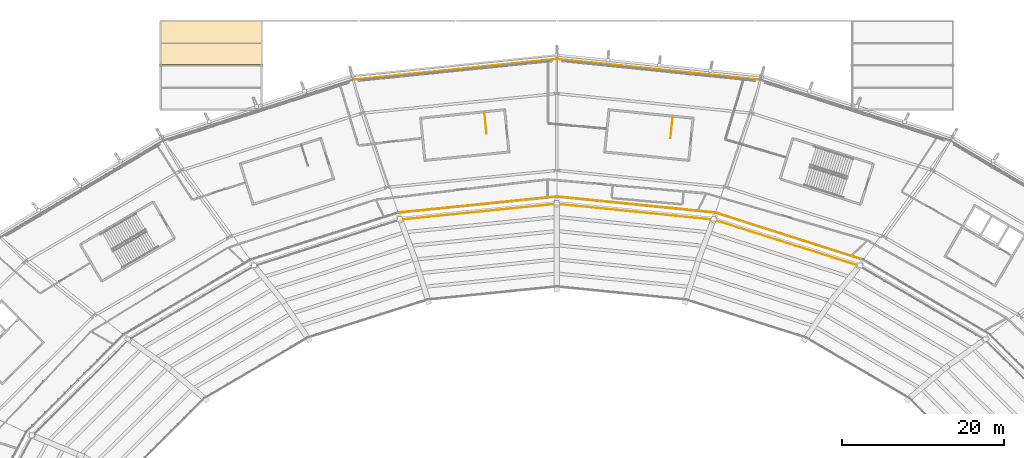
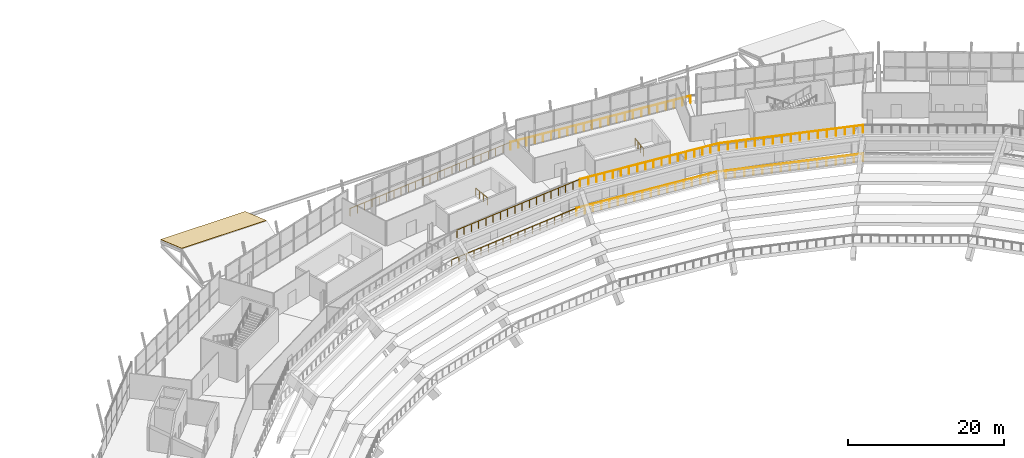
# One storey, part 124 of 126: 10 railings, 1 covering, 1 element without a shape of its own.
"""IFC4 building model written with IfcOpenShell, lengths in metres."""

from ifc_helpers import new_model, si_unit, direction, frame, origin, origin_2d, place, context, subcontext, project, spatial, polyline, rectangle, outline, extrude, material, layer, layer_set, type_object, element, aggregate, save


model = new_model("IFC4")

# Units and contexts
model_context = context("Model", 3, precision=1e-05, world=origin(), true_north=direction((0.0, 1.0)))
body_context = subcontext(model_context, "Body", "Model", "MODEL_VIEW")
ifc_project = project(units=[si_unit("LENGTHUNIT", "METRE"), si_unit("AREAUNIT", "SQUARE_METRE"), si_unit("VOLUMEUNIT", "CUBIC_METRE"), si_unit("PLANEANGLEUNIT", "RADIAN"), si_unit("MASSUNIT", "GRAM", prefix="KILO")], contexts=[model_context])

# Site, building, storey
site_placement = place(None, origin())
site = spatial("IfcSite", under=ifc_project, at=site_placement, CompositionType="ELEMENT")
building_placement = place(site_placement, origin())
building = spatial("IfcBuilding", under=site, at=building_placement, Name="Zlatoyarsky Gate Stadium", CompositionType="ELEMENT")
storey_placement = place(building_placement, frame((0.0, 0.0, 20.800048828125)))
storey = spatial("IfcBuildingStorey", under=building, at=storey_placement, Name="L04", CompositionType="ELEMENT", Elevation=20.800048828125)

# Railings
ifc_material_1 = material(Name="Powder-coated steel tubular guardrail", Category="steel")
railing_type_1 = type_object("IfcRailingType", Name="CONCOURSE SLAB EDGE GUARDRAIL 1200", PredefinedType="GUARDRAIL", material=ifc_material_1)
railing_1_placement = place(storey_placement, frame((148.425048828125, 129.66650390625, 5.099853515625)))
element("IfcRailing", 1, at=railing_1_placement, inside=storey, type_object=railing_type_1, Name="Upper bowl back guardrail 04", PredefinedType="GUARDRAIL", context=body_context, shape_type="SweptSolid", body=[
    extrude(rectangle(XDim=0.048095703125, YDim=0.048095703125, at=origin_2d()), frame((0.0, 0.0, 1.17578125), z_axis=(-0.953150168242, 0.302497531858, 0.0), x_axis=(-0.302497531858, -0.953150168242, 0.0)), (0.0, 0.0, 1.0), 18.939697265625),
    extrude(rectangle(XDim=0.0419921875, YDim=0.0419921875, at=origin_2d()), origin(), (0.0, 0.0, 1.0), 1.15185546875),
    extrude(rectangle(XDim=0.0419921875, YDim=0.0419921875, at=origin_2d()), frame((-1.128173828125, 0.358154296875, 0.0)), (0.0, 0.0, 1.0), 1.15185546875),
    extrude(rectangle(XDim=0.0419921875, YDim=0.0419921875, at=origin_2d()), frame((-2.256591796875, 0.716064453125, 0.0)), (0.0, 0.0, 1.0), 1.15185546875),
    extrude(rectangle(XDim=0.0419921875, YDim=0.0419921875, at=origin_2d()), frame((-3.384765625, 1.07421875, 0.0)), (0.0, 0.0, 1.0), 1.15185546875),
    extrude(rectangle(XDim=0.0419921875, YDim=0.0419921875, at=origin_2d()), frame((-4.51318359375, 1.432373046875, 0.0)), (0.0, 0.0, 1.0), 1.15185546875),
    extrude(rectangle(XDim=0.0419921875, YDim=0.0419921875, at=origin_2d()), frame((-5.641357421875, 1.790283203125, 0.0)), (0.0, 0.0, 1.0), 1.15185546875),
    extrude(rectangle(XDim=0.0419921875, YDim=0.0419921875, at=origin_2d()), frame((-6.769775390625, 2.1484375, 0.0)), (0.0, 0.0, 1.0), 1.15185546875),
    extrude(rectangle(XDim=0.0419921875, YDim=0.0419921875, at=origin_2d()), frame((-7.89794921875, 2.506591796875, 0.0)), (0.0, 0.0, 1.0), 1.15185546875),
    extrude(rectangle(XDim=0.0419921875, YDim=0.0419921875, at=origin_2d()), frame((-9.0263671875, 2.86474609375, 0.0)), (0.0, 0.0, 1.0), 1.15185546875),
    extrude(rectangle(XDim=0.0419921875, YDim=0.0419921875, at=origin_2d()), frame((-10.154541015625, 3.22265625, 0.0)), (0.0, 0.0, 1.0), 1.15185546875),
    extrude(rectangle(XDim=0.0419921875, YDim=0.0419921875, at=origin_2d()), frame((-11.28271484375, 3.580810546875, 0.0)), (0.0, 0.0, 1.0), 1.15185546875),
    extrude(rectangle(XDim=0.0419921875, YDim=0.0419921875, at=origin_2d()), frame((-12.4111328125, 3.93896484375, 0.0)), (0.0, 0.0, 1.0), 1.15185546875),
    extrude(rectangle(XDim=0.0419921875, YDim=0.0419921875, at=origin_2d()), frame((-13.539306640625, 4.296875, 0.0)), (0.0, 0.0, 1.0), 1.15185546875),
    extrude(rectangle(XDim=0.0419921875, YDim=0.0419921875, at=origin_2d()), frame((-14.667724609375, 4.655029296875, 0.0)), (0.0, 0.0, 1.0), 1.15185546875),
    extrude(rectangle(XDim=0.0419921875, YDim=0.0419921875, at=origin_2d()), frame((-15.7958984375, 5.01318359375, 0.0)), (0.0, 0.0, 1.0), 1.15185546875),
    extrude(rectangle(XDim=0.0419921875, YDim=0.0419921875, at=origin_2d()), frame((-16.92431640625, 5.37109375, 0.0)), (0.0, 0.0, 1.0), 1.15185546875),
    extrude(rectangle(XDim=0.0419921875, YDim=0.0419921875, at=origin_2d()), frame((-18.052490234375, 5.729248046875, 0.0)), (0.0, 0.0, 1.0), 1.15185546875),
])
railing_2_placement = place(storey_placement, frame((148.889892578125, 130.471923828125, 0.0)))
element("IfcRailing", 2, at=railing_2_placement, inside=storey, type_object=railing_type_1, Name="L04 inner bowl edge guardrail 04", PredefinedType="GUARDRAIL", context=body_context, shape_type="SweptSolid", body=[
    extrude(rectangle(XDim=0.048095703125, YDim=0.048095703125, at=origin_2d()), frame((0.0, 0.0, 1.17578125), z_axis=(-0.952820580538, 0.303534085901, 0.0), x_axis=(-0.303534085901, -0.952820580538, 0.0)), (0.0, 0.0, 1.0), 19.181640625),
    extrude(rectangle(XDim=0.0419921875, YDim=0.0419921875, at=origin_2d()), origin(), (0.0, 0.0, 1.0), 1.15185546875),
    extrude(rectangle(XDim=0.0419921875, YDim=0.0419921875, at=origin_2d()), frame((-1.142333984375, 0.36376953125, 0.0)), (0.0, 0.0, 1.0), 1.15185546875),
    extrude(rectangle(XDim=0.0419921875, YDim=0.0419921875, at=origin_2d()), frame((-2.28466796875, 0.727783203125, 0.0)), (0.0, 0.0, 1.0), 1.15185546875),
    extrude(rectangle(XDim=0.0419921875, YDim=0.0419921875, at=origin_2d()), frame((-3.4267578125, 1.091796875, 0.0)), (0.0, 0.0, 1.0), 1.15185546875),
    extrude(rectangle(XDim=0.0419921875, YDim=0.0419921875, at=origin_2d()), frame((-4.569091796875, 1.45556640625, 0.0)), (0.0, 0.0, 1.0), 1.15185546875),
    extrude(rectangle(XDim=0.0419921875, YDim=0.0419921875, at=origin_2d()), frame((-5.71142578125, 1.8193359375, 0.0)), (0.0, 0.0, 1.0), 1.15185546875),
    extrude(rectangle(XDim=0.0419921875, YDim=0.0419921875, at=origin_2d()), frame((-6.853759765625, 2.183349609375, 0.0)), (0.0, 0.0, 1.0), 1.15185546875),
    extrude(rectangle(XDim=0.0419921875, YDim=0.0419921875, at=origin_2d()), frame((-7.99609375, 2.54736328125, 0.0)), (0.0, 0.0, 1.0), 1.15185546875),
    extrude(rectangle(XDim=0.0419921875, YDim=0.0419921875, at=origin_2d()), frame((-9.13818359375, 2.9111328125, 0.0)), (0.0, 0.0, 1.0), 1.15185546875),
    extrude(rectangle(XDim=0.0419921875, YDim=0.0419921875, at=origin_2d()), frame((-10.280517578125, 3.27490234375, 0.0)), (0.0, 0.0, 1.0), 1.15185546875),
    extrude(rectangle(XDim=0.0419921875, YDim=0.0419921875, at=origin_2d()), frame((-11.4228515625, 3.638916015625, 0.0)), (0.0, 0.0, 1.0), 1.15185546875),
    extrude(rectangle(XDim=0.0419921875, YDim=0.0419921875, at=origin_2d()), frame((-12.565185546875, 4.0029296875, 0.0)), (0.0, 0.0, 1.0), 1.15185546875),
    extrude(rectangle(XDim=0.0419921875, YDim=0.0419921875, at=origin_2d()), frame((-13.70751953125, 4.36669921875, 0.0)), (0.0, 0.0, 1.0), 1.15185546875),
    extrude(rectangle(XDim=0.0419921875, YDim=0.0419921875, at=origin_2d()), frame((-14.849853515625, 4.73046875, 0.0)), (0.0, 0.0, 1.0), 1.15185546875),
    extrude(rectangle(XDim=0.0419921875, YDim=0.0419921875, at=origin_2d()), frame((-15.991943359375, 5.094482421875, 0.0)), (0.0, 0.0, 1.0), 1.15185546875),
    extrude(rectangle(XDim=0.0419921875, YDim=0.0419921875, at=origin_2d()), frame((-17.13427734375, 5.45849609375, 0.0)), (0.0, 0.0, 1.0), 1.15185546875),
    extrude(rectangle(XDim=0.0419921875, YDim=0.0419921875, at=origin_2d()), frame((-18.276611328125, 5.822265625, 0.0)), (0.0, 0.0, 1.0), 1.15185546875),
])
railing_3_placement = place(storey_placement, frame((130.37255859375, 135.395751953125, 5.099853515625)))
element("IfcRailing", 3, at=railing_3_placement, inside=storey, type_object=railing_type_1, Name="Upper bowl back guardrail 05", PredefinedType="GUARDRAIL", context=body_context, shape_type="SweptSolid", body=[
    extrude(rectangle(XDim=0.048095703125, YDim=0.048095703125, at=origin_2d()), frame((0.0, 0.0, 1.17578125), z_axis=(-0.994949908491, 0.100372703434, 0.0), x_axis=(-0.100372703434, -0.994949908491, 0.0)), (0.0, 0.0, 1.0), 19.470947265625),
    extrude(rectangle(XDim=0.0419921875, YDim=0.0419921875, at=origin_2d()), origin(), (0.0, 0.0, 1.0), 1.15185546875),
    extrude(rectangle(XDim=0.0419921875, YDim=0.0419921875, at=origin_2d()), frame((-1.1396484375, 0.114990234375, 0.0)), (0.0, 0.0, 1.0), 1.15185546875),
    extrude(rectangle(XDim=0.0419921875, YDim=0.0419921875, at=origin_2d()), frame((-2.279052734375, 0.22998046875, 0.0)), (0.0, 0.0, 1.0), 1.15185546875),
    extrude(rectangle(XDim=0.0419921875, YDim=0.0419921875, at=origin_2d()), frame((-3.418701171875, 0.344970703125, 0.0)), (0.0, 0.0, 1.0), 1.15185546875),
    extrude(rectangle(XDim=0.0419921875, YDim=0.0419921875, at=origin_2d()), frame((-4.558349609375, 0.4599609375, 0.0)), (0.0, 0.0, 1.0), 1.15185546875),
    extrude(rectangle(XDim=0.0419921875, YDim=0.0419921875, at=origin_2d()), frame((-5.69775390625, 0.57470703125, 0.0)), (0.0, 0.0, 1.0), 1.15185546875),
    extrude(rectangle(XDim=0.0419921875, YDim=0.0419921875, at=origin_2d()), frame((-6.83740234375, 0.689697265625, 0.0)), (0.0, 0.0, 1.0), 1.15185546875),
    extrude(rectangle(XDim=0.0419921875, YDim=0.0419921875, at=origin_2d()), frame((-7.97705078125, 0.8046875, 0.0)), (0.0, 0.0, 1.0), 1.15185546875),
    extrude(rectangle(XDim=0.0419921875, YDim=0.0419921875, at=origin_2d()), frame((-9.116455078125, 0.919677734375, 0.0)), (0.0, 0.0, 1.0), 1.15185546875),
    extrude(rectangle(XDim=0.0419921875, YDim=0.0419921875, at=origin_2d()), frame((-10.256103515625, 1.03466796875, 0.0)), (0.0, 0.0, 1.0), 1.15185546875),
    extrude(rectangle(XDim=0.0419921875, YDim=0.0419921875, at=origin_2d()), frame((-11.3955078125, 1.149658203125, 0.0)), (0.0, 0.0, 1.0), 1.15185546875),
    extrude(rectangle(XDim=0.0419921875, YDim=0.0419921875, at=origin_2d()), frame((-12.53515625, 1.2646484375, 0.0)), (0.0, 0.0, 1.0), 1.15185546875),
    extrude(rectangle(XDim=0.0419921875, YDim=0.0419921875, at=origin_2d()), frame((-13.6748046875, 1.379638671875, 0.0)), (0.0, 0.0, 1.0), 1.15185546875),
    extrude(rectangle(XDim=0.0419921875, YDim=0.0419921875, at=origin_2d()), frame((-14.814208984375, 1.494384765625, 0.0)), (0.0, 0.0, 1.0), 1.15185546875),
    extrude(rectangle(XDim=0.0419921875, YDim=0.0419921875, at=origin_2d()), frame((-15.953857421875, 1.609375, 0.0)), (0.0, 0.0, 1.0), 1.15185546875),
    extrude(rectangle(XDim=0.0419921875, YDim=0.0419921875, at=origin_2d()), frame((-17.093505859375, 1.724365234375, 0.0)), (0.0, 0.0, 1.0), 1.15185546875),
    extrude(rectangle(XDim=0.0419921875, YDim=0.0419921875, at=origin_2d()), frame((-18.23291015625, 1.83935546875, 0.0)), (0.0, 0.0, 1.0), 1.15185546875),
    extrude(rectangle(XDim=0.0419921875, YDim=0.0419921875, at=origin_2d()), frame((-19.37255859375, 1.954345703125, 0.0)), (0.0, 0.0, 1.0), 1.15185546875),
])
railing_4_placement = place(storey_placement, frame((130.61328125, 136.294189453125, 0.0)))
element("IfcRailing", 4, at=railing_4_placement, inside=storey, type_object=railing_type_1, Name="L04 inner bowl edge guardrail 05", PredefinedType="GUARDRAIL", context=body_context, shape_type="SweptSolid", body=[
    extrude(rectangle(XDim=0.048095703125, YDim=0.048095703125, at=origin_2d()), frame((0.0, 0.0, 1.17578125), z_axis=(-0.994913320334, 0.100734725996, 0.0), x_axis=(-0.100734725996, -0.994913320334, 0.0)), (0.0, 0.0, 1.0), 19.713623046875),
    extrude(rectangle(XDim=0.0419921875, YDim=0.0419921875, at=origin_2d()), origin(), (0.0, 0.0, 1.0), 1.15185546875),
    extrude(rectangle(XDim=0.0419921875, YDim=0.0419921875, at=origin_2d()), frame((-1.15380859375, 0.11669921875, 0.0)), (0.0, 0.0, 1.0), 1.15185546875),
    extrude(rectangle(XDim=0.0419921875, YDim=0.0419921875, at=origin_2d()), frame((-2.307373046875, 0.233642578125, 0.0)), (0.0, 0.0, 1.0), 1.15185546875),
    extrude(rectangle(XDim=0.0419921875, YDim=0.0419921875, at=origin_2d()), frame((-3.461181640625, 0.350341796875, 0.0)), (0.0, 0.0, 1.0), 1.15185546875),
    extrude(rectangle(XDim=0.0419921875, YDim=0.0419921875, at=origin_2d()), frame((-4.614990234375, 0.46728515625, 0.0)), (0.0, 0.0, 1.0), 1.15185546875),
    extrude(rectangle(XDim=0.0419921875, YDim=0.0419921875, at=origin_2d()), frame((-5.7685546875, 0.583984375, 0.0)), (0.0, 0.0, 1.0), 1.15185546875),
    extrude(rectangle(XDim=0.0419921875, YDim=0.0419921875, at=origin_2d()), frame((-6.92236328125, 0.700927734375, 0.0)), (0.0, 0.0, 1.0), 1.15185546875),
    extrude(rectangle(XDim=0.0419921875, YDim=0.0419921875, at=origin_2d()), frame((-8.076171875, 0.817626953125, 0.0)), (0.0, 0.0, 1.0), 1.15185546875),
    extrude(rectangle(XDim=0.0419921875, YDim=0.0419921875, at=origin_2d()), frame((-9.229736328125, 0.9345703125, 0.0)), (0.0, 0.0, 1.0), 1.15185546875),
    extrude(rectangle(XDim=0.0419921875, YDim=0.0419921875, at=origin_2d()), frame((-10.383544921875, 1.05126953125, 0.0)), (0.0, 0.0, 1.0), 1.15185546875),
    extrude(rectangle(XDim=0.0419921875, YDim=0.0419921875, at=origin_2d()), frame((-11.537109375, 1.168212890625, 0.0)), (0.0, 0.0, 1.0), 1.15185546875),
    extrude(rectangle(XDim=0.0419921875, YDim=0.0419921875, at=origin_2d()), frame((-12.69091796875, 1.284912109375, 0.0)), (0.0, 0.0, 1.0), 1.15185546875),
    extrude(rectangle(XDim=0.0419921875, YDim=0.0419921875, at=origin_2d()), frame((-13.8447265625, 1.40185546875, 0.0)), (0.0, 0.0, 1.0), 1.15185546875),
    extrude(rectangle(XDim=0.0419921875, YDim=0.0419921875, at=origin_2d()), frame((-14.998291015625, 1.5185546875, 0.0)), (0.0, 0.0, 1.0), 1.15185546875),
    extrude(rectangle(XDim=0.0419921875, YDim=0.0419921875, at=origin_2d()), frame((-16.152099609375, 1.635498046875, 0.0)), (0.0, 0.0, 1.0), 1.15185546875),
    extrude(rectangle(XDim=0.0419921875, YDim=0.0419921875, at=origin_2d()), frame((-17.305908203125, 1.752197265625, 0.0)), (0.0, 0.0, 1.0), 1.15185546875),
    extrude(rectangle(XDim=0.0419921875, YDim=0.0419921875, at=origin_2d()), frame((-18.45947265625, 1.869140625, 0.0)), (0.0, 0.0, 1.0), 1.15185546875),
    extrude(rectangle(XDim=0.0419921875, YDim=0.0419921875, at=origin_2d()), frame((-19.61328125, 1.98583984375, 0.0)), (0.0, 0.0, 1.0), 1.15185546875),
])
railing_5_placement = place(storey_placement, frame((111.0, 137.35009765625, 5.099853515625)))
element("IfcRailing", 5, at=railing_5_placement, inside=storey, type_object=railing_type_1, Name="Upper bowl back guardrail 06", PredefinedType="GUARDRAIL", context=body_context, shape_type="SweptSolid", body=[
    extrude(rectangle(XDim=0.048095703125, YDim=0.048095703125, at=origin_2d()), frame((0.0, 0.0, 1.17578125), z_axis=(-0.994949908491, -0.100372703434, 0.0), x_axis=(0.100372703434, -0.994949908491, 0.0)), (0.0, 0.0, 1.0), 19.470947265625),
    extrude(rectangle(XDim=0.0419921875, YDim=0.0419921875, at=origin_2d()), origin(), (0.0, 0.0, 1.0), 1.15185546875),
    extrude(rectangle(XDim=0.0419921875, YDim=0.0419921875, at=origin_2d()), frame((-1.1396484375, -0.114990234375, 0.0)), (0.0, 0.0, 1.0), 1.15185546875),
    extrude(rectangle(XDim=0.0419921875, YDim=0.0419921875, at=origin_2d()), frame((-2.279052734375, -0.22998046875, 0.0)), (0.0, 0.0, 1.0), 1.15185546875),
    extrude(rectangle(XDim=0.0419921875, YDim=0.0419921875, at=origin_2d()), frame((-3.418701171875, -0.344970703125, 0.0)), (0.0, 0.0, 1.0), 1.15185546875),
    extrude(rectangle(XDim=0.0419921875, YDim=0.0419921875, at=origin_2d()), frame((-4.558349609375, -0.4599609375, 0.0)), (0.0, 0.0, 1.0), 1.15185546875),
    extrude(rectangle(XDim=0.0419921875, YDim=0.0419921875, at=origin_2d()), frame((-5.69775390625, -0.57470703125, 0.0)), (0.0, 0.0, 1.0), 1.15185546875),
    extrude(rectangle(XDim=0.0419921875, YDim=0.0419921875, at=origin_2d()), frame((-6.83740234375, -0.689697265625, 0.0)), (0.0, 0.0, 1.0), 1.15185546875),
    extrude(rectangle(XDim=0.0419921875, YDim=0.0419921875, at=origin_2d()), frame((-7.97705078125, -0.8046875, 0.0)), (0.0, 0.0, 1.0), 1.15185546875),
    extrude(rectangle(XDim=0.0419921875, YDim=0.0419921875, at=origin_2d()), frame((-9.116455078125, -0.919677734375, 0.0)), (0.0, 0.0, 1.0), 1.15185546875),
    extrude(rectangle(XDim=0.0419921875, YDim=0.0419921875, at=origin_2d()), frame((-10.256103515625, -1.03466796875, 0.0)), (0.0, 0.0, 1.0), 1.15185546875),
    extrude(rectangle(XDim=0.0419921875, YDim=0.0419921875, at=origin_2d()), frame((-11.3955078125, -1.149658203125, 0.0)), (0.0, 0.0, 1.0), 1.15185546875),
    extrude(rectangle(XDim=0.0419921875, YDim=0.0419921875, at=origin_2d()), frame((-12.53515625, -1.2646484375, 0.0)), (0.0, 0.0, 1.0), 1.15185546875),
    extrude(rectangle(XDim=0.0419921875, YDim=0.0419921875, at=origin_2d()), frame((-13.6748046875, -1.379638671875, 0.0)), (0.0, 0.0, 1.0), 1.15185546875),
    extrude(rectangle(XDim=0.0419921875, YDim=0.0419921875, at=origin_2d()), frame((-14.814208984375, -1.494384765625, 0.0)), (0.0, 0.0, 1.0), 1.15185546875),
    extrude(rectangle(XDim=0.0419921875, YDim=0.0419921875, at=origin_2d()), frame((-15.953857421875, -1.609375, 0.0)), (0.0, 0.0, 1.0), 1.15185546875),
    extrude(rectangle(XDim=0.0419921875, YDim=0.0419921875, at=origin_2d()), frame((-17.093505859375, -1.724365234375, 0.0)), (0.0, 0.0, 1.0), 1.15185546875),
    extrude(rectangle(XDim=0.0419921875, YDim=0.0419921875, at=origin_2d()), frame((-18.23291015625, -1.83935546875, 0.0)), (0.0, 0.0, 1.0), 1.15185546875),
    extrude(rectangle(XDim=0.0419921875, YDim=0.0419921875, at=origin_2d()), frame((-19.37255859375, -1.954345703125, 0.0)), (0.0, 0.0, 1.0), 1.15185546875),
])
railing_6_placement = place(storey_placement, frame((111.0, 138.280029296875, 0.0)))
element("IfcRailing", 6, at=railing_6_placement, inside=storey, type_object=railing_type_1, Name="L04 inner bowl edge guardrail 06", PredefinedType="GUARDRAIL", context=body_context, shape_type="SweptSolid", body=[
    extrude(rectangle(XDim=0.048095703125, YDim=0.048095703125, at=origin_2d()), frame((0.0, 0.0, 1.17578125), z_axis=(-0.994913320334, -0.100734725996, 0.0), x_axis=(0.100734725996, -0.994913320334, 0.0)), (0.0, 0.0, 1.0), 19.713623046875),
    extrude(rectangle(XDim=0.0419921875, YDim=0.0419921875, at=origin_2d()), origin(), (0.0, 0.0, 1.0), 1.15185546875),
    extrude(rectangle(XDim=0.0419921875, YDim=0.0419921875, at=origin_2d()), frame((-1.15380859375, -0.11669921875, 0.0)), (0.0, 0.0, 1.0), 1.15185546875),
    extrude(rectangle(XDim=0.0419921875, YDim=0.0419921875, at=origin_2d()), frame((-2.307373046875, -0.233642578125, 0.0)), (0.0, 0.0, 1.0), 1.15185546875),
    extrude(rectangle(XDim=0.0419921875, YDim=0.0419921875, at=origin_2d()), frame((-3.461181640625, -0.350341796875, 0.0)), (0.0, 0.0, 1.0), 1.15185546875),
    extrude(rectangle(XDim=0.0419921875, YDim=0.0419921875, at=origin_2d()), frame((-4.614990234375, -0.46728515625, 0.0)), (0.0, 0.0, 1.0), 1.15185546875),
    extrude(rectangle(XDim=0.0419921875, YDim=0.0419921875, at=origin_2d()), frame((-5.7685546875, -0.583984375, 0.0)), (0.0, 0.0, 1.0), 1.15185546875),
    extrude(rectangle(XDim=0.0419921875, YDim=0.0419921875, at=origin_2d()), frame((-6.92236328125, -0.700927734375, 0.0)), (0.0, 0.0, 1.0), 1.15185546875),
    extrude(rectangle(XDim=0.0419921875, YDim=0.0419921875, at=origin_2d()), frame((-8.076171875, -0.817626953125, 0.0)), (0.0, 0.0, 1.0), 1.15185546875),
    extrude(rectangle(XDim=0.0419921875, YDim=0.0419921875, at=origin_2d()), frame((-9.229736328125, -0.9345703125, 0.0)), (0.0, 0.0, 1.0), 1.15185546875),
    extrude(rectangle(XDim=0.0419921875, YDim=0.0419921875, at=origin_2d()), frame((-10.383544921875, -1.05126953125, 0.0)), (0.0, 0.0, 1.0), 1.15185546875),
    extrude(rectangle(XDim=0.0419921875, YDim=0.0419921875, at=origin_2d()), frame((-11.537109375, -1.168212890625, 0.0)), (0.0, 0.0, 1.0), 1.15185546875),
    extrude(rectangle(XDim=0.0419921875, YDim=0.0419921875, at=origin_2d()), frame((-12.69091796875, -1.284912109375, 0.0)), (0.0, 0.0, 1.0), 1.15185546875),
    extrude(rectangle(XDim=0.0419921875, YDim=0.0419921875, at=origin_2d()), frame((-13.8447265625, -1.40185546875, 0.0)), (0.0, 0.0, 1.0), 1.15185546875),
    extrude(rectangle(XDim=0.0419921875, YDim=0.0419921875, at=origin_2d()), frame((-14.998291015625, -1.5185546875, 0.0)), (0.0, 0.0, 1.0), 1.15185546875),
    extrude(rectangle(XDim=0.0419921875, YDim=0.0419921875, at=origin_2d()), frame((-16.152099609375, -1.635498046875, 0.0)), (0.0, 0.0, 1.0), 1.15185546875),
    extrude(rectangle(XDim=0.0419921875, YDim=0.0419921875, at=origin_2d()), frame((-17.305908203125, -1.752197265625, 0.0)), (0.0, 0.0, 1.0), 1.15185546875),
    extrude(rectangle(XDim=0.0419921875, YDim=0.0419921875, at=origin_2d()), frame((-18.45947265625, -1.869140625, 0.0)), (0.0, 0.0, 1.0), 1.15185546875),
    extrude(rectangle(XDim=0.0419921875, YDim=0.0419921875, at=origin_2d()), frame((-19.61328125, -1.98583984375, 0.0)), (0.0, 0.0, 1.0), 1.15185546875),
])
railing_7_placement = place(storey_placement, frame((136.17529296875, 152.704833984375, 0.0)))
element("IfcRailing", 7, at=railing_7_placement, inside=storey, type_object=railing_type_1, Name="L04 outer slab edge guardrail 05", PredefinedType="GUARDRAIL", context=body_context, shape_type="SweptSolid", body=[
    extrude(rectangle(XDim=0.048095703125, YDim=0.048095703125, at=origin_2d()), frame((0.0, 0.0, 1.17578125), z_axis=(-0.994850930845, 0.101349027605, 0.0), x_axis=(-0.101349027605, -0.994850930845, 0.0)), (0.0, 0.0, 1.0), 25.3056640625),
    extrude(rectangle(XDim=0.0419921875, YDim=0.0419921875, at=origin_2d()), origin(), (0.0, 0.0, 1.0), 1.15185546875),
    extrude(rectangle(XDim=0.0419921875, YDim=0.0419921875, at=origin_2d()), frame((-1.144287109375, 0.11669921875, 0.0)), (0.0, 0.0, 1.0), 1.15185546875),
    extrude(rectangle(XDim=0.0419921875, YDim=0.0419921875, at=origin_2d()), frame((-2.28857421875, 0.233154296875, 0.0)), (0.0, 0.0, 1.0), 1.15185546875),
    extrude(rectangle(XDim=0.0419921875, YDim=0.0419921875, at=origin_2d()), frame((-3.43310546875, 0.349609375, 0.0)), (0.0, 0.0, 1.0), 1.15185546875),
    extrude(rectangle(XDim=0.0419921875, YDim=0.0419921875, at=origin_2d()), frame((-4.577392578125, 0.46630859375, 0.0)), (0.0, 0.0, 1.0), 1.15185546875),
    extrude(rectangle(XDim=0.0419921875, YDim=0.0419921875, at=origin_2d()), frame((-5.7216796875, 0.5830078125, 0.0)), (0.0, 0.0, 1.0), 1.15185546875),
    extrude(rectangle(XDim=0.0419921875, YDim=0.0419921875, at=origin_2d()), frame((-6.865966796875, 0.699462890625, 0.0)), (0.0, 0.0, 1.0), 1.15185546875),
    extrude(rectangle(XDim=0.0419921875, YDim=0.0419921875, at=origin_2d()), frame((-8.01025390625, 0.81591796875, 0.0)), (0.0, 0.0, 1.0), 1.15185546875),
    extrude(rectangle(XDim=0.0419921875, YDim=0.0419921875, at=origin_2d()), frame((-9.154541015625, 0.9326171875, 0.0)), (0.0, 0.0, 1.0), 1.15185546875),
    extrude(rectangle(XDim=0.0419921875, YDim=0.0419921875, at=origin_2d()), frame((-10.299072265625, 1.04931640625, 0.0)), (0.0, 0.0, 1.0), 1.15185546875),
    extrude(rectangle(XDim=0.0419921875, YDim=0.0419921875, at=origin_2d()), frame((-11.443359375, 1.165771484375, 0.0)), (0.0, 0.0, 1.0), 1.15185546875),
    extrude(rectangle(XDim=0.0419921875, YDim=0.0419921875, at=origin_2d()), frame((-12.587646484375, 1.2822265625, 0.0)), (0.0, 0.0, 1.0), 1.15185546875),
    extrude(rectangle(XDim=0.0419921875, YDim=0.0419921875, at=origin_2d()), frame((-13.73193359375, 1.39892578125, 0.0)), (0.0, 0.0, 1.0), 1.15185546875),
    extrude(rectangle(XDim=0.0419921875, YDim=0.0419921875, at=origin_2d()), frame((-14.876220703125, 1.515625, 0.0)), (0.0, 0.0, 1.0), 1.15185546875),
    extrude(rectangle(XDim=0.0419921875, YDim=0.0419921875, at=origin_2d()), frame((-16.020751953125, 1.632080078125, 0.0)), (0.0, 0.0, 1.0), 1.15185546875),
    extrude(rectangle(XDim=0.0419921875, YDim=0.0419921875, at=origin_2d()), frame((-17.1650390625, 1.74853515625, 0.0)), (0.0, 0.0, 1.0), 1.15185546875),
    extrude(rectangle(XDim=0.0419921875, YDim=0.0419921875, at=origin_2d()), frame((-18.309326171875, 1.865234375, 0.0)), (0.0, 0.0, 1.0), 1.15185546875),
    extrude(rectangle(XDim=0.0419921875, YDim=0.0419921875, at=origin_2d()), frame((-19.45361328125, 1.98193359375, 0.0)), (0.0, 0.0, 1.0), 1.15185546875),
    extrude(rectangle(XDim=0.0419921875, YDim=0.0419921875, at=origin_2d()), frame((-20.597900390625, 2.098388671875, 0.0)), (0.0, 0.0, 1.0), 1.15185546875),
    extrude(rectangle(XDim=0.0419921875, YDim=0.0419921875, at=origin_2d()), frame((-21.7421875, 2.21484375, 0.0)), (0.0, 0.0, 1.0), 1.15185546875),
    extrude(rectangle(XDim=0.0419921875, YDim=0.0419921875, at=origin_2d()), frame((-22.88671875, 2.33154296875, 0.0)), (0.0, 0.0, 1.0), 1.15185546875),
    extrude(rectangle(XDim=0.0419921875, YDim=0.0419921875, at=origin_2d()), frame((-24.031005859375, 2.4482421875, 0.0)), (0.0, 0.0, 1.0), 1.15185546875),
    extrude(rectangle(XDim=0.0419921875, YDim=0.0419921875, at=origin_2d()), frame((-25.17529296875, 2.564697265625, 0.0)), (0.0, 0.0, 1.0), 1.15185546875),
])
railing_8_placement = place(storey_placement, frame((111.0, 155.26953125, 0.0)))
element("IfcRailing", 8, at=railing_8_placement, inside=storey, type_object=railing_type_1, Name="L04 outer slab edge guardrail 06", PredefinedType="GUARDRAIL", context=body_context, shape_type="SweptSolid", body=[
    extrude(rectangle(XDim=0.048095703125, YDim=0.048095703125, at=origin_2d()), frame((0.0, 0.0, 1.17578125), z_axis=(-0.994850930845, -0.101349027605, 0.0), x_axis=(0.101349027605, -0.994850930845, 0.0)), (0.0, 0.0, 1.0), 25.3056640625),
    extrude(rectangle(XDim=0.0419921875, YDim=0.0419921875, at=origin_2d()), origin(), (0.0, 0.0, 1.0), 1.15185546875),
    extrude(rectangle(XDim=0.0419921875, YDim=0.0419921875, at=origin_2d()), frame((-1.144287109375, -0.11669921875, 0.0)), (0.0, 0.0, 1.0), 1.15185546875),
    extrude(rectangle(XDim=0.0419921875, YDim=0.0419921875, at=origin_2d()), frame((-2.28857421875, -0.233154296875, 0.0)), (0.0, 0.0, 1.0), 1.15185546875),
    extrude(rectangle(XDim=0.0419921875, YDim=0.0419921875, at=origin_2d()), frame((-3.43310546875, -0.349609375, 0.0)), (0.0, 0.0, 1.0), 1.15185546875),
    extrude(rectangle(XDim=0.0419921875, YDim=0.0419921875, at=origin_2d()), frame((-4.577392578125, -0.46630859375, 0.0)), (0.0, 0.0, 1.0), 1.15185546875),
    extrude(rectangle(XDim=0.0419921875, YDim=0.0419921875, at=origin_2d()), frame((-5.7216796875, -0.5830078125, 0.0)), (0.0, 0.0, 1.0), 1.15185546875),
    extrude(rectangle(XDim=0.0419921875, YDim=0.0419921875, at=origin_2d()), frame((-6.865966796875, -0.699462890625, 0.0)), (0.0, 0.0, 1.0), 1.15185546875),
    extrude(rectangle(XDim=0.0419921875, YDim=0.0419921875, at=origin_2d()), frame((-8.01025390625, -0.81591796875, 0.0)), (0.0, 0.0, 1.0), 1.15185546875),
    extrude(rectangle(XDim=0.0419921875, YDim=0.0419921875, at=origin_2d()), frame((-9.154541015625, -0.9326171875, 0.0)), (0.0, 0.0, 1.0), 1.15185546875),
    extrude(rectangle(XDim=0.0419921875, YDim=0.0419921875, at=origin_2d()), frame((-10.299072265625, -1.04931640625, 0.0)), (0.0, 0.0, 1.0), 1.15185546875),
    extrude(rectangle(XDim=0.0419921875, YDim=0.0419921875, at=origin_2d()), frame((-11.443359375, -1.165771484375, 0.0)), (0.0, 0.0, 1.0), 1.15185546875),
    extrude(rectangle(XDim=0.0419921875, YDim=0.0419921875, at=origin_2d()), frame((-12.587646484375, -1.2822265625, 0.0)), (0.0, 0.0, 1.0), 1.15185546875),
    extrude(rectangle(XDim=0.0419921875, YDim=0.0419921875, at=origin_2d()), frame((-13.73193359375, -1.39892578125, 0.0)), (0.0, 0.0, 1.0), 1.15185546875),
    extrude(rectangle(XDim=0.0419921875, YDim=0.0419921875, at=origin_2d()), frame((-14.876220703125, -1.515625, 0.0)), (0.0, 0.0, 1.0), 1.15185546875),
    extrude(rectangle(XDim=0.0419921875, YDim=0.0419921875, at=origin_2d()), frame((-16.020751953125, -1.632080078125, 0.0)), (0.0, 0.0, 1.0), 1.15185546875),
    extrude(rectangle(XDim=0.0419921875, YDim=0.0419921875, at=origin_2d()), frame((-17.1650390625, -1.74853515625, 0.0)), (0.0, 0.0, 1.0), 1.15185546875),
    extrude(rectangle(XDim=0.0419921875, YDim=0.0419921875, at=origin_2d()), frame((-18.309326171875, -1.865234375, 0.0)), (0.0, 0.0, 1.0), 1.15185546875),
    extrude(rectangle(XDim=0.0419921875, YDim=0.0419921875, at=origin_2d()), frame((-19.45361328125, -1.98193359375, 0.0)), (0.0, 0.0, 1.0), 1.15185546875),
    extrude(rectangle(XDim=0.0419921875, YDim=0.0419921875, at=origin_2d()), frame((-20.597900390625, -2.098388671875, 0.0)), (0.0, 0.0, 1.0), 1.15185546875),
    extrude(rectangle(XDim=0.0419921875, YDim=0.0419921875, at=origin_2d()), frame((-21.7421875, -2.21484375, 0.0)), (0.0, 0.0, 1.0), 1.15185546875),
    extrude(rectangle(XDim=0.0419921875, YDim=0.0419921875, at=origin_2d()), frame((-22.88671875, -2.33154296875, 0.0)), (0.0, 0.0, 1.0), 1.15185546875),
    extrude(rectangle(XDim=0.0419921875, YDim=0.0419921875, at=origin_2d()), frame((-24.031005859375, -2.4482421875, 0.0)), (0.0, 0.0, 1.0), 1.15185546875),
    extrude(rectangle(XDim=0.0419921875, YDim=0.0419921875, at=origin_2d()), frame((-25.17529296875, -2.564697265625, 0.0)), (0.0, 0.0, 1.0), 1.15185546875),
])
ifc_material_2 = material(Name="Powder-coated steel stair guardrail", Category="steel")
railing_type_2 = type_object("IfcRailingType", Name="PAINTED STEEL STAIR WELL GUARDRAIL 1150", PredefinedType="GUARDRAIL", material=ifc_material_2)
railing_9_placement = place(storey_placement, frame((102.0537109375, 148.625732421875, 0.0)))
element("IfcRailing", 9, at=railing_9_placement, inside=storey, type_object=railing_type_2, Name="ST-04 L04 top well guard 1", PredefinedType="GUARDRAIL", context=body_context, shape_type="SweptSolid", body=[
    extrude(rectangle(XDim=0.048095703125, YDim=0.048095703125, at=origin_2d()), frame((0.0, 0.0, 1.1259765625), z_axis=(0.100005757291, -0.99498685846, 0.0), x_axis=(0.99498685846, 0.100005757291, 0.0)), (0.0, 0.0, 1.0), 2.599853515625),
    extrude(rectangle(XDim=0.0419921875, YDim=0.0419921875, at=origin_2d()), origin(), (0.0, 0.0, 1.0), 1.101806640625),
    extrude(rectangle(XDim=0.0419921875, YDim=0.0419921875, at=origin_2d()), frame((0.086669921875, -0.8623046875, 0.0)), (0.0, 0.0, 1.0), 1.101806640625),
    extrude(rectangle(XDim=0.0419921875, YDim=0.0419921875, at=origin_2d()), frame((0.17333984375, -1.724609375, 0.0)), (0.0, 0.0, 1.0), 1.101806640625),
    extrude(rectangle(XDim=0.0419921875, YDim=0.0419921875, at=origin_2d()), frame((0.260009765625, -2.5869140625, 0.0)), (0.0, 0.0, 1.0), 1.101806640625),
])
railing_10_placement = place(storey_placement, frame((125.3193359375, 148.085693359375, 0.0)))
element("IfcRailing", 10, at=railing_10_placement, inside=storey, type_object=railing_type_2, Name="ST-17 L04 top well guard 1", PredefinedType="GUARDRAIL", context=body_context, shape_type="SweptSolid", body=[
    extrude(rectangle(XDim=0.048095703125, YDim=0.048095703125, at=origin_2d()), frame((0.0, 0.0, 1.1259765625), z_axis=(-0.100005757291, -0.99498685846, 0.0), x_axis=(0.99498685846, -0.100005757291, 0.0)), (0.0, 0.0, 1.0), 2.599853515625),
    extrude(rectangle(XDim=0.0419921875, YDim=0.0419921875, at=origin_2d()), origin(), (0.0, 0.0, 1.0), 1.101806640625),
    extrude(rectangle(XDim=0.0419921875, YDim=0.0419921875, at=origin_2d()), frame((-0.086669921875, -0.8623046875, 0.0)), (0.0, 0.0, 1.0), 1.101806640625),
    extrude(rectangle(XDim=0.0419921875, YDim=0.0419921875, at=origin_2d()), frame((-0.17333984375, -1.724609375, 0.0)), (0.0, 0.0, 1.0), 1.101806640625),
    extrude(rectangle(XDim=0.0419921875, YDim=0.0419921875, at=origin_2d()), frame((-0.260009765625, -2.5869140625, 0.0)), (0.0, 0.0, 1.0), 1.101806640625),
])

# Roof, covering
ifc_material_3 = material(Name="Standing-seam aluminium-zinc roofing with mineral wool insulation", Category="aluminium")
ifc_layer_1 = layer(ifc_material_3, 0.080078125)
ifc_layer_set_1 = layer_set([ifc_layer_1], Name="Standing-seam aluminium-zinc roofing with mineral wool insulation")
roof_type = type_object("IfcRoofType", Name="STADIUM BARREL VAULT ROOF ASSEMBLY", PredefinedType="BARREL_ROOF", material=ifc_layer_set_1)
roof_placement = place(storey_placement, origin())
roof = element("IfcRoof", 11, at=roof_placement, inside=storey, type_object=roof_type, Name="V2_NORTH_W barrel roof", PredefinedType="BARREL_ROOF")
ifc_layer_2 = layer(ifc_material_3, 0.06005859375)
ifc_layer_set_2 = layer_set([ifc_layer_2], Name="Standing-seam aluminium-zinc roofing with mineral wool insulation")
covering_type = type_object("IfcCoveringType", Name="STANDING SEAM ALUMINIUM ZINC ROOFING 60", PredefinedType="ROOFING", material=ifc_layer_set_2)
covering_placement = place(storey_placement, frame((74.5, 160.0, 0.260009765625), z_axis=(0.0, 0.329578946053, 0.94412802009), x_axis=(-1.0, 0.0, 0.0)))
covering = element("IfcCovering", 12, at=covering_placement, type_object=covering_type, Name="V2_NORTH_W standing seam roofing 2", PredefinedType="ROOFING", context=body_context, shape_type="SweptSolid", body=[
    extrude(outline(polyline([(0.0, 0.0), (12.5, 0.0), (12.5, 5.7520420397895435), (0.0, 5.7520420397895435), (0.0, 0.0)])), origin(), (0.0, 0.0, -1.0), 0.06005859375),
])
aggregate(roof, [covering])

save(model, "model.ifc")
